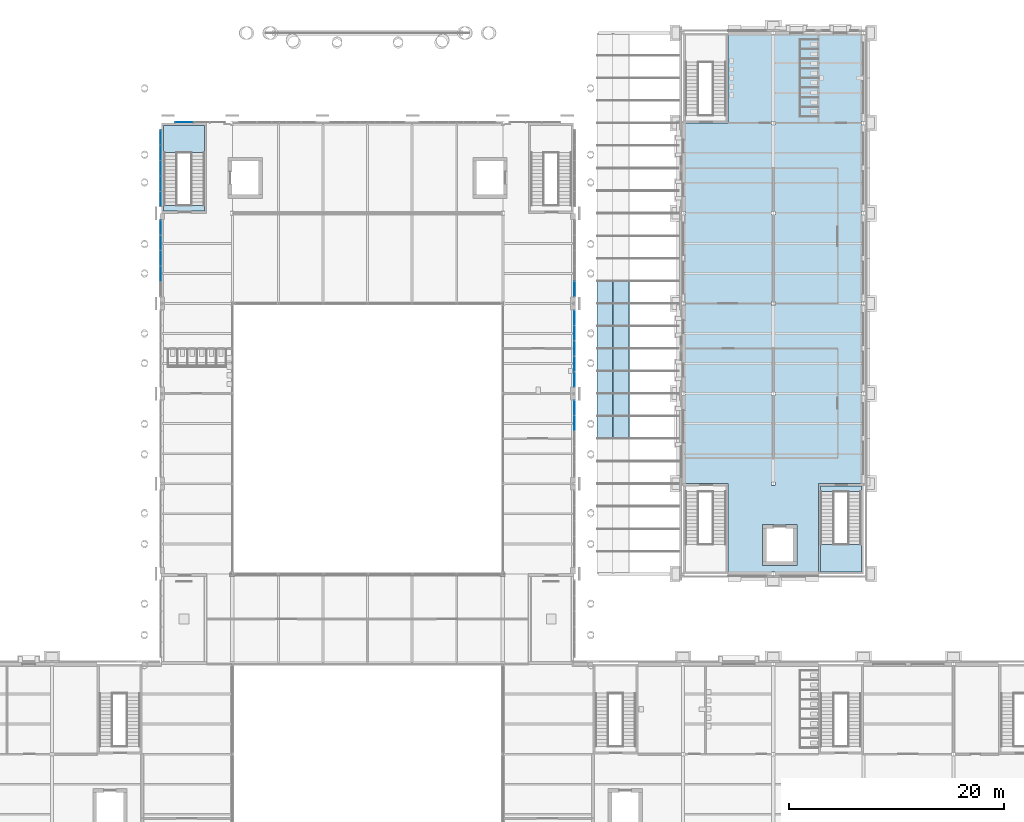
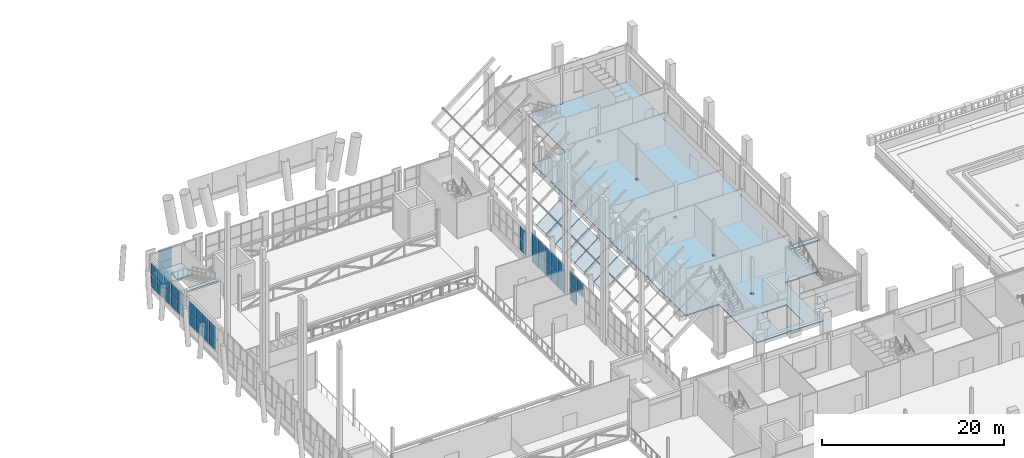
# One storey, part 43 of 76: 50 plates, 5 slabs, 8 elements without a shape of their own.
"""IFC4 building model written with IfcOpenShell, lengths in metres."""

from ifc_helpers import new_model, si_unit, direction, frame, origin, origin_2d, place, context, subcontext, project, spatial, polyline, rectangle, outline, extrude, material, layer, layer_set, type_object, element, aggregate, save


model = new_model("IFC4")

# Units and contexts
model_context = context("Model", 3, precision=1e-05, world=origin(), true_north=direction((0.0, 1.0)))
body_context = subcontext(model_context, "Body", "Model", "MODEL_VIEW")
ifc_project = project(units=[si_unit("LENGTHUNIT", "METRE"), si_unit("AREAUNIT", "SQUARE_METRE"), si_unit("VOLUMEUNIT", "CUBIC_METRE"), si_unit("PLANEANGLEUNIT", "RADIAN"), si_unit("MASSUNIT", "GRAM", prefix="KILO")], contexts=[model_context])

# Site, building, storey
site_placement = place(None, origin())
site = spatial("IfcSite", under=ifc_project, at=site_placement, CompositionType="ELEMENT")
building_placement = place(site_placement, origin())
building = spatial("IfcBuilding", under=site, at=building_placement, Name="Sava Quay Ferry Terminal", CompositionType="ELEMENT")
storey_placement = place(building_placement, frame((0.0, 0.0, 6.0)))
storey = spatial("IfcBuildingStorey", under=building, at=storey_placement, Name="L01", CompositionType="ELEMENT", Elevation=6.0)

# Slab
ifc_material_1 = material(Name="Concrete C30/37", Category="concrete")
ifc_layer_1 = layer(ifc_material_1, 0.1298828125)
ifc_layer_set_1 = layer_set([ifc_layer_1], Name="Concrete C30/37")
slab_type_1 = type_object("IfcSlabType", Name="Composite floor slab 130", PredefinedType="FLOOR", material=ifc_layer_set_1)
slab_1_placement = place(storey_placement, frame((0.0, 0.0, -0.1298828125)))
element("IfcSlab", 1, at=slab_1_placement, inside=storey, type_object=slab_type_1, Name="O floor slab L01", PredefinedType="FLOOR", context=body_context, shape_type="SweptSolid", body=[
    extrude(outline(polyline([(105.0, 67.199951171875), (105.0, 58.800048828125), (100.9599609375, 58.800048828125), (100.9599609375, 58.969970703125), (100.639892578125, 58.969970703125), (100.639892578125, 58.800048828125), (96.60009765625, 58.800048828125), (96.60009765625, 67.199951171875), (92.39990234375, 67.199951171875), (92.39990234375, 75.429931640625), (92.56005859375, 75.429931640625), (92.56005859375, 75.77001953125), (92.39990234375, 75.77001953125), (92.39990234375, 83.830078125), (92.56005859375, 83.830078125), (92.56005859375, 84.169921875), (92.39990234375, 84.169921875), (92.39990234375, 92.22998046875), (92.56005859375, 92.22998046875), (92.56005859375, 92.570068359375), (92.39990234375, 92.570068359375), (92.39990234375, 100.800048828125), (96.60009765625, 100.800048828125), (96.60009765625, 109.199951171875), (100.639892578125, 109.199951171875), (100.639892578125, 109.030029296875), (100.9599609375, 109.030029296875), (100.9599609375, 109.199951171875), (109.0400390625, 109.199951171875), (109.0400390625, 109.030029296875), (109.199951171875, 109.030029296875), (109.199951171875, 100.969970703125), (109.0400390625, 100.969970703125), (109.0400390625, 100.6298828125), (109.199951171875, 100.6298828125), (109.199951171875, 92.570068359375), (109.0400390625, 92.570068359375), (109.0400390625, 92.22998046875), (109.199951171875, 92.22998046875), (109.199951171875, 84.169921875), (109.0400390625, 84.169921875), (109.0400390625, 83.830078125), (109.199951171875, 83.830078125), (109.199951171875, 75.77001953125), (109.0400390625, 75.77001953125), (109.0400390625, 75.429931640625), (109.199951171875, 75.429931640625), (109.199951171875, 67.199951171875), (105.0, 67.199951171875)]), holes=[polyline([(100.639892578125, 67.030029296875), (100.9599609375, 67.030029296875), (100.9599609375, 67.3701171875), (100.639892578125, 67.3701171875), (100.639892578125, 67.030029296875)]), polyline([(100.639892578125, 75.77001953125), (100.639892578125, 75.429931640625), (100.9599609375, 75.429931640625), (100.9599609375, 75.77001953125), (100.639892578125, 75.77001953125)]), polyline([(100.639892578125, 83.830078125), (100.9599609375, 83.830078125), (100.9599609375, 84.169921875), (100.639892578125, 84.169921875), (100.639892578125, 83.830078125)]), polyline([(100.639892578125, 100.969970703125), (100.639892578125, 100.6298828125), (100.9599609375, 100.6298828125), (100.9599609375, 100.969970703125), (100.639892578125, 100.969970703125)]), polyline([(99.800048828125, 59.60009765625), (103.0, 59.60009765625), (103.0, 63.39990234375), (99.800048828125, 63.39990234375), (99.800048828125, 59.60009765625)]), polyline([(100.639892578125, 92.570068359375), (100.639892578125, 92.22998046875), (100.9599609375, 92.22998046875), (100.9599609375, 92.570068359375), (100.639892578125, 92.570068359375)])]), origin(), (0.0, 0.0, 1.0), 0.1298828125),
])

# Curtain wall, plates
ifc_material_2 = material(Name="Aluminium and glass curtain wall, double low-e glazed", Category="aluminium")
curtain_wall_type_1 = type_object("IfcCurtainWallType", Name="Curtain wall CW-F flank", PredefinedType="NOTDEFINED", material=ifc_material_2)
curtain_wall_1_placement = place(storey_placement, origin())
curtain_wall_1 = element("IfcCurtainWall", 2, at=curtain_wall_1_placement, inside=storey, type_object=curtain_wall_type_1, Name="Curtain wall D-E L01 bay 3", PredefinedType="NOTDEFINED")
ifc_material_3 = material(Name="Laminated glass, double low-e glazed unit", Category="glass")
ifc_layer_2 = layer(ifc_material_3, 0.028076171875)
ifc_layer_set_2 = layer_set([ifc_layer_2], Name="Laminated glass, double low-e glazed unit")
plate_type_1 = type_object("IfcPlateType", Name="Glass panel 28 double low-e", PredefinedType="CURTAIN_PANEL", material=ifc_layer_set_2)
plate_1_placement = place(storey_placement, frame((82.27490234375, 72.840087890625, 2.875), z_axis=(0.0, 0.0, 1.0), x_axis=(0.0, 1.0, 0.0)))
plate_1 = element("IfcPlate", 3, at=plate_1_placement, type_object=plate_type_1, Name="CW45 panel 4.2", PredefinedType="CURTAIN_PANEL", context=body_context, shape_type="SweptSolid", body=[
    extrude(rectangle(XDim=1.3798828125, YDim=0.028076171875, at=origin_2d()), origin(), (0.0, 0.0, 1.0), 1.875),
])
plate_2_placement = place(storey_placement, frame((82.27490234375, 74.264892578125, 0.949951171875), z_axis=(0.0, 0.0, 1.0), x_axis=(0.0, 1.0, 0.0)))
plate_2 = element("IfcPlate", 4, at=plate_2_placement, type_object=plate_type_1, Name="CW45 panel 5.1", PredefinedType="CURTAIN_PANEL", context=body_context, shape_type="SweptSolid", body=[
    extrude(rectangle(XDim=1.35009765625, YDim=0.028076171875, at=origin_2d()), origin(), (0.0, 0.0, 1.0), 1.875),
])
plate_3_placement = place(storey_placement, frame((82.27490234375, 74.264892578125, 2.875), z_axis=(0.0, 0.0, 1.0), x_axis=(0.0, 1.0, 0.0)))
plate_3 = element("IfcPlate", 5, at=plate_3_placement, type_object=plate_type_1, Name="CW45 panel 5.2", PredefinedType="CURTAIN_PANEL", context=body_context, shape_type="SweptSolid", body=[
    extrude(rectangle(XDim=1.35009765625, YDim=0.028076171875, at=origin_2d()), origin(), (0.0, 0.0, 1.0), 1.875),
])
aggregate(curtain_wall_1, [plate_1, plate_2, plate_3])

curtain_wall_2_placement = place(storey_placement, origin())
curtain_wall_2 = element("IfcCurtainWall", 6, at=curtain_wall_2_placement, inside=storey, type_object=curtain_wall_type_1, Name="Curtain wall D-E L01 bay 4", PredefinedType="NOTDEFINED")
plate_4_placement = place(storey_placement, frame((82.27490234375, 76.93505859375, 0.949951171875), z_axis=(0.0, 0.0, 1.0), x_axis=(0.0, 1.0, 0.0)))
plate_4 = element("IfcPlate", 7, at=plate_4_placement, type_object=plate_type_1, Name="CW48 panel 1.1", PredefinedType="CURTAIN_PANEL", context=body_context, shape_type="SweptSolid", body=[
    extrude(rectangle(XDim=1.35009765625, YDim=0.028076171875, at=origin_2d()), origin(), (0.0, 0.0, 1.0), 1.875),
])
plate_5_placement = place(storey_placement, frame((82.27490234375, 76.93505859375, 2.875), z_axis=(0.0, 0.0, 1.0), x_axis=(0.0, 1.0, 0.0)))
plate_5 = element("IfcPlate", 8, at=plate_5_placement, type_object=plate_type_1, Name="CW48 panel 1.2", PredefinedType="CURTAIN_PANEL", context=body_context, shape_type="SweptSolid", body=[
    extrude(rectangle(XDim=1.35009765625, YDim=0.028076171875, at=origin_2d()), origin(), (0.0, 0.0, 1.0), 1.875),
])
plate_6_placement = place(storey_placement, frame((82.27490234375, 78.360107421875, 0.949951171875), z_axis=(0.0, 0.0, 1.0), x_axis=(0.0, 1.0, 0.0)))
plate_6 = element("IfcPlate", 9, at=plate_6_placement, type_object=plate_type_1, Name="CW48 panel 2.1", PredefinedType="CURTAIN_PANEL", context=body_context, shape_type="SweptSolid", body=[
    extrude(rectangle(XDim=1.3798828125, YDim=0.028076171875, at=origin_2d()), origin(), (0.0, 0.0, 1.0), 1.875),
])
plate_7_placement = place(storey_placement, frame((82.27490234375, 78.360107421875, 2.875), z_axis=(0.0, 0.0, 1.0), x_axis=(0.0, 1.0, 0.0)))
plate_7 = element("IfcPlate", 10, at=plate_7_placement, type_object=plate_type_1, Name="CW48 panel 2.2", PredefinedType="CURTAIN_PANEL", context=body_context, shape_type="SweptSolid", body=[
    extrude(rectangle(XDim=1.3798828125, YDim=0.028076171875, at=origin_2d()), origin(), (0.0, 0.0, 1.0), 1.875),
])
plate_8_placement = place(storey_placement, frame((82.27490234375, 79.800048828125, 0.949951171875), z_axis=(0.0, 0.0, 1.0), x_axis=(0.0, 1.0, 0.0)))
plate_8 = element("IfcPlate", 11, at=plate_8_placement, type_object=plate_type_1, Name="CW48 panel 3.1", PredefinedType="CURTAIN_PANEL", context=body_context, shape_type="SweptSolid", body=[
    extrude(rectangle(XDim=1.3798828125, YDim=0.028076171875, at=origin_2d()), origin(), (0.0, 0.0, 1.0), 1.875),
])
plate_9_placement = place(storey_placement, frame((82.27490234375, 79.800048828125, 2.875), z_axis=(0.0, 0.0, 1.0), x_axis=(0.0, 1.0, 0.0)))
plate_9 = element("IfcPlate", 12, at=plate_9_placement, type_object=plate_type_1, Name="CW48 panel 3.2", PredefinedType="CURTAIN_PANEL", context=body_context, shape_type="SweptSolid", body=[
    extrude(rectangle(XDim=1.3798828125, YDim=0.028076171875, at=origin_2d()), origin(), (0.0, 0.0, 1.0), 1.875),
])
plate_10_placement = place(storey_placement, frame((82.27490234375, 81.239990234375, 0.949951171875), z_axis=(0.0, 0.0, 1.0), x_axis=(0.0, 1.0, 0.0)))
plate_10 = element("IfcPlate", 13, at=plate_10_placement, type_object=plate_type_1, Name="CW48 panel 4.1", PredefinedType="CURTAIN_PANEL", context=body_context, shape_type="SweptSolid", body=[
    extrude(rectangle(XDim=1.3798828125, YDim=0.028076171875, at=origin_2d()), origin(), (0.0, 0.0, 1.0), 1.875),
])
plate_11_placement = place(storey_placement, frame((82.27490234375, 81.239990234375, 2.875), z_axis=(0.0, 0.0, 1.0), x_axis=(0.0, 1.0, 0.0)))
plate_11 = element("IfcPlate", 14, at=plate_11_placement, type_object=plate_type_1, Name="CW48 panel 4.2", PredefinedType="CURTAIN_PANEL", context=body_context, shape_type="SweptSolid", body=[
    extrude(rectangle(XDim=1.3798828125, YDim=0.028076171875, at=origin_2d()), origin(), (0.0, 0.0, 1.0), 1.875),
])
plate_12_placement = place(storey_placement, frame((82.27490234375, 82.6650390625, 0.949951171875), z_axis=(0.0, 0.0, 1.0), x_axis=(0.0, 1.0, 0.0)))
plate_12 = element("IfcPlate", 15, at=plate_12_placement, type_object=plate_type_1, Name="CW48 panel 5.1", PredefinedType="CURTAIN_PANEL", context=body_context, shape_type="SweptSolid", body=[
    extrude(rectangle(XDim=1.35009765625, YDim=0.028076171875, at=origin_2d()), origin(), (0.0, 0.0, 1.0), 1.875),
])
plate_13_placement = place(storey_placement, frame((82.27490234375, 82.6650390625, 2.875), z_axis=(0.0, 0.0, 1.0), x_axis=(0.0, 1.0, 0.0)))
plate_13 = element("IfcPlate", 16, at=plate_13_placement, type_object=plate_type_1, Name="CW48 panel 5.2", PredefinedType="CURTAIN_PANEL", context=body_context, shape_type="SweptSolid", body=[
    extrude(rectangle(XDim=1.35009765625, YDim=0.028076171875, at=origin_2d()), origin(), (0.0, 0.0, 1.0), 1.875),
])
aggregate(curtain_wall_2, [plate_4, plate_5, plate_6, plate_7, plate_8, plate_9, plate_10, plate_11, plate_12, plate_13])

curtain_wall_3_placement = place(storey_placement, origin())
curtain_wall_3 = element("IfcCurtainWall", 17, at=curtain_wall_3_placement, inside=storey, type_object=curtain_wall_type_1, Name="Curtain wall D-E L01 bay 5", PredefinedType="NOTDEFINED")
plate_14_placement = place(storey_placement, frame((82.27490234375, 85.3349609375, 0.9501953125), z_axis=(0.0, 0.0, 1.0), x_axis=(0.0, 1.0, 0.0)))
plate_14 = element("IfcPlate", 18, at=plate_14_placement, type_object=plate_type_1, Name="CW52 panel 1.1", PredefinedType="CURTAIN_PANEL", context=body_context, shape_type="SweptSolid", body=[
    extrude(rectangle(XDim=1.35009765625, YDim=0.028076171875, at=origin_2d()), origin(), (0.0, 0.0, 1.0), 1.574951171875),
])
plate_15_placement = place(storey_placement, frame((82.27490234375, 85.3349609375, 2.5751953125), z_axis=(0.0, 0.0, 1.0), x_axis=(0.0, 1.0, 0.0)))
plate_15 = element("IfcPlate", 19, at=plate_15_placement, type_object=plate_type_1, Name="CW52 panel 1.2", PredefinedType="CURTAIN_PANEL", context=body_context, shape_type="SweptSolid", body=[
    extrude(rectangle(XDim=1.35009765625, YDim=0.028076171875, at=origin_2d()), origin(), (0.0, 0.0, 1.0), 1.574951171875),
])
aggregate(curtain_wall_3, [plate_14, plate_15])

ifc_material_4 = material(Name="Aluminium and glass curtain wall, double low-e glazed", Category="aluminium")
curtain_wall_type_2 = type_object("IfcCurtainWallType", Name="Curtain wall CW-G gable", PredefinedType="NOTDEFINED", material=ifc_material_4)
curtain_wall_4_placement = place(storey_placement, origin())
curtain_wall_4 = element("IfcCurtainWall", 20, at=curtain_wall_4_placement, inside=storey, type_object=curtain_wall_type_2, Name="Curtain wall D-N L01 bay 1", PredefinedType="NOTDEFINED")
plate_16_placement = place(storey_placement, frame((45.889892578125, 100.885009765625, 0.050048828125), z_axis=(0.0, 0.0, 1.0), x_axis=(1.0, 0.0, 0.0)))
plate_16 = element("IfcPlate", 21, at=plate_16_placement, type_object=plate_type_1, Name="CW55 panel 1.1", PredefinedType="CURTAIN_PANEL", context=body_context, shape_type="SweptSolid", body=[
    extrude(rectangle(XDim=1.659912109375, YDim=0.028076171875, at=origin_2d()), origin(), (0.0, 0.0, 1.0), 1.52490234375),
])
plate_17_placement = place(storey_placement, frame((45.889892578125, 100.885009765625, 1.625), z_axis=(0.0, 0.0, 1.0), x_axis=(1.0, 0.0, 0.0)))
plate_17 = element("IfcPlate", 22, at=plate_17_placement, type_object=plate_type_1, Name="CW55 panel 1.2", PredefinedType="CURTAIN_PANEL", context=body_context, shape_type="SweptSolid", body=[
    extrude(rectangle(XDim=1.659912109375, YDim=0.028076171875, at=origin_2d()), origin(), (0.0, 0.0, 1.0), 1.550048828125),
])
plate_18_placement = place(storey_placement, frame((45.889892578125, 100.885009765625, 3.22509765625), z_axis=(0.0, 0.0, 1.0), x_axis=(1.0, 0.0, 0.0)))
plate_18 = element("IfcPlate", 23, at=plate_18_placement, type_object=plate_type_1, Name="CW55 panel 1.3", PredefinedType="CURTAIN_PANEL", context=body_context, shape_type="SweptSolid", body=[
    extrude(rectangle(XDim=1.659912109375, YDim=0.028076171875, at=origin_2d()), origin(), (0.0, 0.0, 1.0), 1.52490234375),
])
aggregate(curtain_wall_4, [plate_16, plate_17, plate_18])

curtain_wall_5_placement = place(storey_placement, origin())
curtain_wall_5 = element("IfcCurtainWall", 24, at=curtain_wall_5_placement, inside=storey, type_object=curtain_wall_type_1, Name="Curtain wall D-W L01 bay 5", PredefinedType="NOTDEFINED")
plate_19_placement = place(storey_placement, frame((43.72509765625, 86.760009765625, 0.9501953125), z_axis=(0.0, 0.0, 1.0), x_axis=(0.0, 1.0, 0.0)))
plate_19 = element("IfcPlate", 25, at=plate_19_placement, type_object=plate_type_1, Name="CW111 panel 2.1", PredefinedType="CURTAIN_PANEL", context=body_context, shape_type="SweptSolid", body=[
    extrude(rectangle(XDim=1.3798828125, YDim=0.028076171875, at=origin_2d()), origin(), (0.0, 0.0, 1.0), 1.574951171875),
])
plate_20_placement = place(storey_placement, frame((43.72509765625, 86.760009765625, 2.5751953125), z_axis=(0.0, 0.0, 1.0), x_axis=(0.0, 1.0, 0.0)))
plate_20 = element("IfcPlate", 26, at=plate_20_placement, type_object=plate_type_1, Name="CW111 panel 2.2", PredefinedType="CURTAIN_PANEL", context=body_context, shape_type="SweptSolid", body=[
    extrude(rectangle(XDim=1.3798828125, YDim=0.028076171875, at=origin_2d()), origin(), (0.0, 0.0, 1.0), 1.574951171875),
])
plate_21_placement = place(storey_placement, frame((43.72509765625, 88.199951171875, 0.9501953125), z_axis=(0.0, 0.0, 1.0), x_axis=(0.0, 1.0, 0.0)))
plate_21 = element("IfcPlate", 27, at=plate_21_placement, type_object=plate_type_1, Name="CW111 panel 3.1", PredefinedType="CURTAIN_PANEL", context=body_context, shape_type="SweptSolid", body=[
    extrude(rectangle(XDim=1.3798828125, YDim=0.028076171875, at=origin_2d()), origin(), (0.0, 0.0, 1.0), 1.574951171875),
])
plate_22_placement = place(storey_placement, frame((43.72509765625, 88.199951171875, 2.5751953125), z_axis=(0.0, 0.0, 1.0), x_axis=(0.0, 1.0, 0.0)))
plate_22 = element("IfcPlate", 28, at=plate_22_placement, type_object=plate_type_1, Name="CW111 panel 3.2", PredefinedType="CURTAIN_PANEL", context=body_context, shape_type="SweptSolid", body=[
    extrude(rectangle(XDim=1.3798828125, YDim=0.028076171875, at=origin_2d()), origin(), (0.0, 0.0, 1.0), 1.574951171875),
])
plate_23_placement = place(storey_placement, frame((43.72509765625, 89.639892578125, 0.9501953125), z_axis=(0.0, 0.0, 1.0), x_axis=(0.0, 1.0, 0.0)))
plate_23 = element("IfcPlate", 29, at=plate_23_placement, type_object=plate_type_1, Name="CW111 panel 4.1", PredefinedType="CURTAIN_PANEL", context=body_context, shape_type="SweptSolid", body=[
    extrude(rectangle(XDim=1.3798828125, YDim=0.028076171875, at=origin_2d()), origin(), (0.0, 0.0, 1.0), 1.574951171875),
])
plate_24_placement = place(storey_placement, frame((43.72509765625, 89.639892578125, 2.5751953125), z_axis=(0.0, 0.0, 1.0), x_axis=(0.0, 1.0, 0.0)))
plate_24 = element("IfcPlate", 30, at=plate_24_placement, type_object=plate_type_1, Name="CW111 panel 4.2", PredefinedType="CURTAIN_PANEL", context=body_context, shape_type="SweptSolid", body=[
    extrude(rectangle(XDim=1.3798828125, YDim=0.028076171875, at=origin_2d()), origin(), (0.0, 0.0, 1.0), 1.574951171875),
])
plate_25_placement = place(storey_placement, frame((43.72509765625, 91.06494140625, 0.9501953125), z_axis=(0.0, 0.0, 1.0), x_axis=(0.0, 1.0, 0.0)))
plate_25 = element("IfcPlate", 31, at=plate_25_placement, type_object=plate_type_1, Name="CW111 panel 5.1", PredefinedType="CURTAIN_PANEL", context=body_context, shape_type="SweptSolid", body=[
    extrude(rectangle(XDim=1.35009765625, YDim=0.028076171875, at=origin_2d()), origin(), (0.0, 0.0, 1.0), 1.574951171875),
])
plate_26_placement = place(storey_placement, frame((43.72509765625, 91.06494140625, 2.5751953125), z_axis=(0.0, 0.0, 1.0), x_axis=(0.0, 1.0, 0.0)))
plate_26 = element("IfcPlate", 32, at=plate_26_placement, type_object=plate_type_1, Name="CW111 panel 5.2", PredefinedType="CURTAIN_PANEL", context=body_context, shape_type="SweptSolid", body=[
    extrude(rectangle(XDim=1.35009765625, YDim=0.028076171875, at=origin_2d()), origin(), (0.0, 0.0, 1.0), 1.574951171875),
])
aggregate(curtain_wall_5, [plate_19, plate_20, plate_21, plate_22, plate_23, plate_24, plate_25, plate_26])

curtain_wall_6_placement = place(storey_placement, origin())
curtain_wall_6 = element("IfcCurtainWall", 33, at=curtain_wall_6_placement, inside=storey, type_object=curtain_wall_type_1, Name="Curtain wall D-W L01 bay 6", PredefinedType="NOTDEFINED")
plate_27_placement = place(storey_placement, frame((43.72509765625, 93.735107421875, 0.9501953125), z_axis=(0.0, 0.0, 1.0), x_axis=(0.0, 1.0, 0.0)))
plate_27 = element("IfcPlate", 34, at=plate_27_placement, type_object=plate_type_1, Name="CW112 panel 1.1", PredefinedType="CURTAIN_PANEL", context=body_context, shape_type="SweptSolid", body=[
    extrude(rectangle(XDim=1.35009765625, YDim=0.028076171875, at=origin_2d()), origin(), (0.0, 0.0, 1.0), 1.574951171875),
])
plate_28_placement = place(storey_placement, frame((43.72509765625, 93.735107421875, 2.5751953125), z_axis=(0.0, 0.0, 1.0), x_axis=(0.0, 1.0, 0.0)))
plate_28 = element("IfcPlate", 35, at=plate_28_placement, type_object=plate_type_1, Name="CW112 panel 1.2", PredefinedType="CURTAIN_PANEL", context=body_context, shape_type="SweptSolid", body=[
    extrude(rectangle(XDim=1.35009765625, YDim=0.028076171875, at=origin_2d()), origin(), (0.0, 0.0, 1.0), 1.574951171875),
])
plate_29_placement = place(storey_placement, frame((43.72509765625, 95.159912109375, 0.9501953125), z_axis=(0.0, 0.0, 1.0), x_axis=(0.0, 1.0, 0.0)))
plate_29 = element("IfcPlate", 36, at=plate_29_placement, type_object=plate_type_1, Name="CW112 panel 2.1", PredefinedType="CURTAIN_PANEL", context=body_context, shape_type="SweptSolid", body=[
    extrude(rectangle(XDim=1.3798828125, YDim=0.028076171875, at=origin_2d()), origin(), (0.0, 0.0, 1.0), 1.574951171875),
])
plate_30_placement = place(storey_placement, frame((43.72509765625, 95.159912109375, 2.5751953125), z_axis=(0.0, 0.0, 1.0), x_axis=(0.0, 1.0, 0.0)))
plate_30 = element("IfcPlate", 37, at=plate_30_placement, type_object=plate_type_1, Name="CW112 panel 2.2", PredefinedType="CURTAIN_PANEL", context=body_context, shape_type="SweptSolid", body=[
    extrude(rectangle(XDim=1.3798828125, YDim=0.028076171875, at=origin_2d()), origin(), (0.0, 0.0, 1.0), 1.574951171875),
])
plate_31_placement = place(storey_placement, frame((43.72509765625, 96.60009765625, 0.9501953125), z_axis=(0.0, 0.0, 1.0), x_axis=(0.0, 1.0, 0.0)))
plate_31 = element("IfcPlate", 38, at=plate_31_placement, type_object=plate_type_1, Name="CW112 panel 3.1", PredefinedType="CURTAIN_PANEL", context=body_context, shape_type="SweptSolid", body=[
    extrude(rectangle(XDim=1.3798828125, YDim=0.028076171875, at=origin_2d()), origin(), (0.0, 0.0, 1.0), 1.574951171875),
])
plate_32_placement = place(storey_placement, frame((43.72509765625, 96.60009765625, 2.5751953125), z_axis=(0.0, 0.0, 1.0), x_axis=(0.0, 1.0, 0.0)))
plate_32 = element("IfcPlate", 39, at=plate_32_placement, type_object=plate_type_1, Name="CW112 panel 3.2", PredefinedType="CURTAIN_PANEL", context=body_context, shape_type="SweptSolid", body=[
    extrude(rectangle(XDim=1.3798828125, YDim=0.028076171875, at=origin_2d()), origin(), (0.0, 0.0, 1.0), 1.574951171875),
])
plate_33_placement = place(storey_placement, frame((43.72509765625, 98.0400390625, 0.9501953125), z_axis=(0.0, 0.0, 1.0), x_axis=(0.0, 1.0, 0.0)))
plate_33 = element("IfcPlate", 40, at=plate_33_placement, type_object=plate_type_1, Name="CW112 panel 4.1", PredefinedType="CURTAIN_PANEL", context=body_context, shape_type="SweptSolid", body=[
    extrude(rectangle(XDim=1.3798828125, YDim=0.028076171875, at=origin_2d()), origin(), (0.0, 0.0, 1.0), 1.574951171875),
])
plate_34_placement = place(storey_placement, frame((43.72509765625, 98.0400390625, 2.5751953125), z_axis=(0.0, 0.0, 1.0), x_axis=(0.0, 1.0, 0.0)))
plate_34 = element("IfcPlate", 41, at=plate_34_placement, type_object=plate_type_1, Name="CW112 panel 4.2", PredefinedType="CURTAIN_PANEL", context=body_context, shape_type="SweptSolid", body=[
    extrude(rectangle(XDim=1.3798828125, YDim=0.028076171875, at=origin_2d()), origin(), (0.0, 0.0, 1.0), 1.574951171875),
])
plate_35_placement = place(storey_placement, frame((43.72509765625, 99.465087890625, 0.9501953125), z_axis=(0.0, 0.0, 1.0), x_axis=(0.0, 1.0, 0.0)))
plate_35 = element("IfcPlate", 42, at=plate_35_placement, type_object=plate_type_1, Name="CW112 panel 5.1", PredefinedType="CURTAIN_PANEL", context=body_context, shape_type="SweptSolid", body=[
    extrude(rectangle(XDim=1.35009765625, YDim=0.028076171875, at=origin_2d()), origin(), (0.0, 0.0, 1.0), 1.574951171875),
])
plate_36_placement = place(storey_placement, frame((43.72509765625, 99.465087890625, 2.5751953125), z_axis=(0.0, 0.0, 1.0), x_axis=(0.0, 1.0, 0.0)))
plate_36 = element("IfcPlate", 43, at=plate_36_placement, type_object=plate_type_1, Name="CW112 panel 5.2", PredefinedType="CURTAIN_PANEL", context=body_context, shape_type="SweptSolid", body=[
    extrude(rectangle(XDim=1.35009765625, YDim=0.028076171875, at=origin_2d()), origin(), (0.0, 0.0, 1.0), 1.574951171875),
])
aggregate(curtain_wall_6, [plate_27, plate_28, plate_29, plate_30, plate_31, plate_32, plate_33, plate_34, plate_35, plate_36])

# Plates
ifc_material_5 = material(Name="Laminated glass", Category="glass")
ifc_layer_3 = layer(ifc_material_5, 0.0400390625)
ifc_layer_set_3 = layer_set([ifc_layer_3], Name="Laminated glass")
plate_type_2 = type_object("IfcPlateType", Name="Skylight glass 40", PredefinedType="SHEET", material=ifc_layer_set_3)
plate_37_placement = place(storey_placement, frame((85.814453125, 86.080078125, 4.5869140625), z_axis=(-0.617821551932, 0.0, 0.786318338822), x_axis=(0.0, -1.0, 0.0)))
element("IfcPlate", 44, at=plate_37_placement, inside=storey, type_object=plate_type_2, Name="Passage roof glass PS-F-K11.0", PredefinedType="SHEET", context=body_context, shape_type="SweptSolid", body=[
    extrude(outline(polyline([(0.0, 0.0), (2.06005859375, 0.0), (2.06005859375, -1.8169625035575463), (0.0, -1.8169625035575463), (0.0, 0.0)])), origin(), (0.0, 0.0, -1.0), 0.0400390625),
])
plate_38_placement = place(storey_placement, frame((85.845947265625, 86.080078125, 4.611572265625), z_axis=(-0.617810385509, 0.0, 0.786327112312), x_axis=(0.786327112312, 0.0, 0.617810385509)))
element("IfcPlate", 45, at=plate_38_placement, inside=storey, type_object=plate_type_2, Name="Passage roof glass PS-F-K11.1", PredefinedType="SHEET", context=body_context, shape_type="SweptSolid", body=[
    extrude(outline(polyline([(0.0, 0.0), (1.9311997052158885, 0.0), (1.9311997052158885, -2.06005859375), (0.0, -2.06005859375), (0.0, 0.0)])), origin(), (0.0, 0.0, -1.0), 0.0400390625),
])
plate_39_placement = place(storey_placement, frame((85.814453125, 83.97998046875, 4.5869140625), z_axis=(-0.617821551932, 0.0, 0.786318338822), x_axis=(0.0, -1.0, 0.0)))
element("IfcPlate", 46, at=plate_39_placement, inside=storey, type_object=plate_type_2, Name="Passage roof glass PS-F-K12.0", PredefinedType="SHEET", context=body_context, shape_type="SweptSolid", body=[
    extrude(outline(polyline([(0.0, 0.0), (2.06005859375, 0.0), (2.06005859375, -1.8169625035575463), (0.0, -1.8169625035575463), (0.0, 0.0)])), origin(), (0.0, 0.0, -1.0), 0.0400390625),
])
plate_40_placement = place(storey_placement, frame((85.845947265625, 83.97998046875, 4.611572265625), z_axis=(-0.617810385509, 0.0, 0.786327112312), x_axis=(0.786327112312, 0.0, 0.617810385509)))
element("IfcPlate", 47, at=plate_40_placement, inside=storey, type_object=plate_type_2, Name="Passage roof glass PS-F-K12.1", PredefinedType="SHEET", context=body_context, shape_type="SweptSolid", body=[
    extrude(outline(polyline([(0.0, 0.0), (1.9311997052158885, 0.0), (1.9311997052158885, -2.06005859375), (0.0, -2.06005859375), (0.0, 0.0)])), origin(), (0.0, 0.0, -1.0), 0.0400390625),
])
plate_41_placement = place(storey_placement, frame((85.814453125, 81.8798828125, 4.5869140625), z_axis=(-0.617821551932, 0.0, 0.786318338822), x_axis=(0.0, -1.0, 0.0)))
element("IfcPlate", 48, at=plate_41_placement, inside=storey, type_object=plate_type_2, Name="Passage roof glass PS-F-K13.0", PredefinedType="SHEET", context=body_context, shape_type="SweptSolid", body=[
    extrude(outline(polyline([(0.0, 0.0), (2.059814453125, 0.0), (2.059814453125, -1.816962503557546), (0.0, -1.816962503557546), (0.0, 0.0)])), origin(), (0.0, 0.0, -1.0), 0.0400390625),
])
plate_42_placement = place(storey_placement, frame((85.845947265625, 81.8798828125, 4.611572265625), z_axis=(-0.617810385509, 0.0, 0.786327112312), x_axis=(0.786327112312, 0.0, 0.617810385509)))
element("IfcPlate", 49, at=plate_42_placement, inside=storey, type_object=plate_type_2, Name="Passage roof glass PS-F-K13.1", PredefinedType="SHEET", context=body_context, shape_type="SweptSolid", body=[
    extrude(outline(polyline([(0.0, 0.0), (1.9311997052158885, 0.0), (1.9311997052158885, -2.059814453125), (0.0, -2.059814453125), (0.0, 0.0)])), origin(), (0.0, 0.0, -1.0), 0.0400390625),
])
plate_43_placement = place(storey_placement, frame((85.814453125, 79.780029296875, 4.5869140625), z_axis=(-0.617821551932, 0.0, 0.786318338822), x_axis=(0.0, -1.0, 0.0)))
element("IfcPlate", 50, at=plate_43_placement, inside=storey, type_object=plate_type_2, Name="Passage roof glass PS-F-K14.0", PredefinedType="SHEET", context=body_context, shape_type="SweptSolid", body=[
    extrude(outline(polyline([(0.0, 0.0), (2.06005859375, 0.0), (2.06005859375, -1.8169625035575463), (0.0, -1.8169625035575463), (0.0, 0.0)])), origin(), (0.0, 0.0, -1.0), 0.0400390625),
])
plate_44_placement = place(storey_placement, frame((85.845947265625, 79.780029296875, 4.611572265625), z_axis=(-0.617810385509, 0.0, 0.786327112312), x_axis=(0.786327112312, 0.0, 0.617810385509)))
element("IfcPlate", 51, at=plate_44_placement, inside=storey, type_object=plate_type_2, Name="Passage roof glass PS-F-K14.1", PredefinedType="SHEET", context=body_context, shape_type="SweptSolid", body=[
    extrude(outline(polyline([(0.0, 0.0), (1.9311997052158885, 0.0), (1.9311997052158885, -2.06005859375), (0.0, -2.06005859375), (0.0, 0.0)])), origin(), (0.0, 0.0, -1.0), 0.0400390625),
])
plate_45_placement = place(storey_placement, frame((85.814453125, 77.679931640625, 4.5869140625), z_axis=(-0.617821551932, 0.0, 0.786318338822), x_axis=(0.0, -1.0, 0.0)))
element("IfcPlate", 52, at=plate_45_placement, inside=storey, type_object=plate_type_2, Name="Passage roof glass PS-F-K15.0", PredefinedType="SHEET", context=body_context, shape_type="SweptSolid", body=[
    extrude(outline(polyline([(0.0, 0.0), (2.059814453125, 0.0), (2.059814453125, -1.816962503557546), (0.0, -1.816962503557546), (0.0, 0.0)])), origin(), (0.0, 0.0, -1.0), 0.0400390625),
])
plate_46_placement = place(storey_placement, frame((85.845947265625, 77.679931640625, 4.611572265625), z_axis=(-0.617810385509, 0.0, 0.786327112312), x_axis=(0.786327112312, 0.0, 0.617810385509)))
element("IfcPlate", 53, at=plate_46_placement, inside=storey, type_object=plate_type_2, Name="Passage roof glass PS-F-K15.1", PredefinedType="SHEET", context=body_context, shape_type="SweptSolid", body=[
    extrude(outline(polyline([(0.0, 0.0), (1.9311997052158885, 0.0), (1.9311997052158885, -2.059814453125), (0.0, -2.059814453125), (0.0, 0.0)])), origin(), (0.0, 0.0, -1.0), 0.0400390625),
])
plate_47_placement = place(storey_placement, frame((85.814453125, 75.580078125, 4.5869140625), z_axis=(-0.617821551932, 0.0, 0.786318338822), x_axis=(0.0, -1.0, 0.0)))
element("IfcPlate", 54, at=plate_47_placement, inside=storey, type_object=plate_type_2, Name="Passage roof glass PS-F-K16.0", PredefinedType="SHEET", context=body_context, shape_type="SweptSolid", body=[
    extrude(outline(polyline([(0.0, 0.0), (2.06005859375, 0.0), (2.06005859375, -1.8169625035575463), (0.0, -1.8169625035575463), (0.0, 0.0)])), origin(), (0.0, 0.0, -1.0), 0.0400390625),
])
plate_48_placement = place(storey_placement, frame((85.845947265625, 75.580078125, 4.611572265625), z_axis=(-0.617810385509, 0.0, 0.786327112312), x_axis=(0.786327112312, 0.0, 0.617810385509)))
element("IfcPlate", 55, at=plate_48_placement, inside=storey, type_object=plate_type_2, Name="Passage roof glass PS-F-K16.1", PredefinedType="SHEET", context=body_context, shape_type="SweptSolid", body=[
    extrude(outline(polyline([(0.0, 0.0), (1.9311997052158885, 0.0), (1.9311997052158885, -2.06005859375), (0.0, -2.06005859375), (0.0, 0.0)])), origin(), (0.0, 0.0, -1.0), 0.0400390625),
])
plate_49_placement = place(storey_placement, frame((85.814453125, 73.47998046875, 4.5869140625), z_axis=(-0.617821551932, 0.0, 0.786318338822), x_axis=(0.0, -1.0, 0.0)))
element("IfcPlate", 56, at=plate_49_placement, inside=storey, type_object=plate_type_2, Name="Passage roof glass PS-F-K17.0", PredefinedType="SHEET", context=body_context, shape_type="SweptSolid", body=[
    extrude(outline(polyline([(0.0, 0.0), (2.06005859375, 0.0), (2.06005859375, -1.8169625035575463), (0.0, -1.8169625035575463), (0.0, 0.0)])), origin(), (0.0, 0.0, -1.0), 0.0400390625),
])
plate_50_placement = place(storey_placement, frame((85.845947265625, 73.47998046875, 4.611572265625), z_axis=(-0.617810385509, 0.0, 0.786327112312), x_axis=(0.786327112312, 0.0, 0.617810385509)))
element("IfcPlate", 57, at=plate_50_placement, inside=storey, type_object=plate_type_2, Name="Passage roof glass PS-F-K17.1", PredefinedType="SHEET", context=body_context, shape_type="SweptSolid", body=[
    extrude(outline(polyline([(0.0, 0.0), (1.9311997052158885, 0.0), (1.9311997052158885, -2.06005859375), (0.0, -2.06005859375), (0.0, 0.0)])), origin(), (0.0, 0.0, -1.0), 0.0400390625),
])

# Stair, slab
ifc_material_6 = material(Name="Concrete C30/37", Category="concrete")
stair_type = type_object("IfcStairType", Name="Stair 1200 half landing", PredefinedType="HALF_TURN_STAIR", material=ifc_material_6)
stair_1_placement = place(storey_placement, origin())
stair_1 = element("IfcStair", 58, at=stair_1_placement, inside=storey, type_object=stair_type, Name="Stair ST-D5 L01", PredefinedType="HALF_TURN_STAIR")
ifc_material_7 = material(Name="Concrete C30/37", Category="concrete")
ifc_layer_4 = layer(ifc_material_7, 0.199951171875)
ifc_layer_set_4 = layer_set([ifc_layer_4], Name="Concrete C30/37")
slab_type_2 = type_object("IfcSlabType", Name="Stair head floor 200", PredefinedType="FLOOR", material=ifc_layer_set_4)
slab_2_placement = place(storey_placement, frame((0.0, 0.0, 4.60009765625)))
slab_2 = element("IfcSlab", 59, at=slab_2_placement, type_object=slab_type_2, Name="ST-D5 head floor L02", PredefinedType="FLOOR", context=body_context, shape_type="SweptSolid", body=[
    extrude(outline(polyline([(44.0, 92.60009765625), (44.0, 93.1298828125), (47.800048828125, 93.1298828125), (47.800048828125, 92.60009765625), (44.0, 92.60009765625)])), origin(), (0.0, 0.0, 1.0), 0.199951171875),
])

stair_2_placement = place(storey_placement, origin())
stair_2 = element("IfcStair", 60, at=stair_2_placement, inside=storey, type_object=stair_type, Name="Stair ST-O2 L01", PredefinedType="HALF_TURN_STAIR")
slab_3_placement = place(storey_placement, frame((0.0, 0.0, 4.60009765625)))
slab_3 = element("IfcSlab", 61, at=slab_3_placement, type_object=slab_type_2, Name="ST-O2 head floor L02", PredefinedType="FLOOR", context=body_context, shape_type="SweptSolid", body=[
    extrude(outline(polyline([(105.199951171875, 66.469970703125), (105.199951171875, 67.0), (109.0, 67.0), (109.0, 66.469970703125), (105.199951171875, 66.469970703125)])), origin(), (0.0, 0.0, 1.0), 0.199951171875),
])

# Slab
ifc_material_8 = material(Name="Concrete C30/37", Category="concrete")
ifc_layer_5 = layer(ifc_material_8, 0.199951171875)
ifc_layer_set_5 = layer_set([ifc_layer_5], Name="Concrete C30/37")
slab_type_3 = type_object("IfcSlabType", Name="Stair landing 200", PredefinedType="LANDING", material=ifc_layer_set_5)
slab_4_placement = place(storey_placement, frame((0.0, 0.0, 2.199951171875)))
slab_4 = element("IfcSlab", 62, at=slab_4_placement, type_object=slab_type_3, Name="ST-D5 landing 1", PredefinedType="LANDING", context=body_context, shape_type="SweptSolid", body=[
    extrude(outline(polyline([(44.0, 98.080078125), (44.0, 100.60009765625), (47.800048828125, 100.60009765625), (47.800048828125, 98.080078125), (44.0, 98.080078125)])), origin(), (0.0, 0.0, 1.0), 0.199951171875),
])

aggregate(stair_1, [slab_4, slab_2])

slab_5_placement = place(storey_placement, frame((0.0, 0.0, 2.199951171875)))
slab_5 = element("IfcSlab", 63, at=slab_5_placement, type_object=slab_type_3, Name="ST-O2 landing 1", PredefinedType="LANDING", context=body_context, shape_type="SweptSolid", body=[
    extrude(outline(polyline([(105.199951171875, 59.0), (105.199951171875, 61.52001953125), (109.0, 61.52001953125), (109.0, 59.0), (105.199951171875, 59.0)])), origin(), (0.0, 0.0, 1.0), 0.199951171875),
])

aggregate(stair_2, [slab_5, slab_3])

save(model, "model.ifc")
